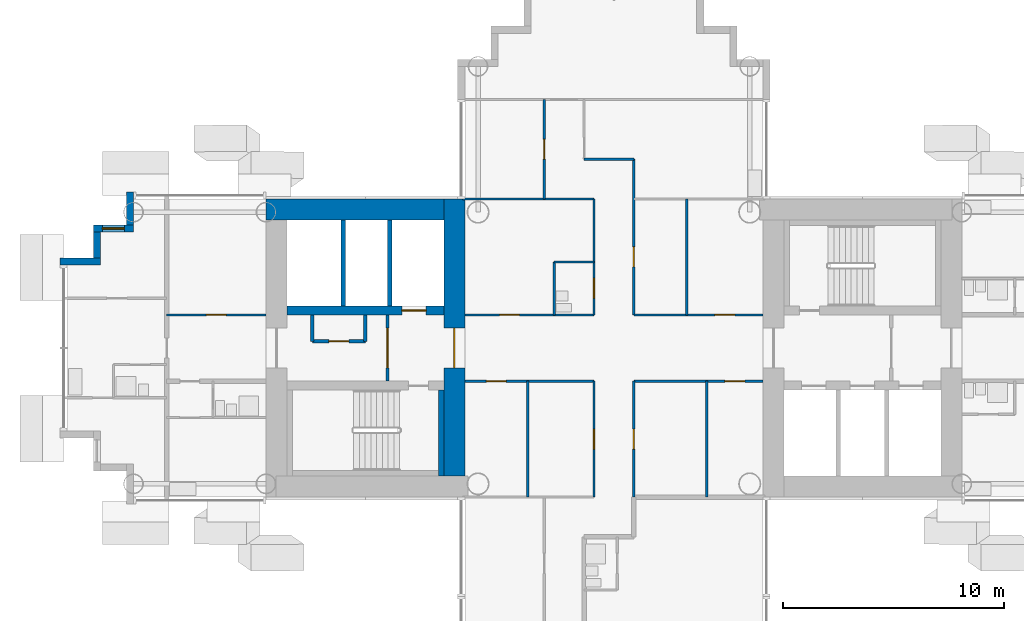
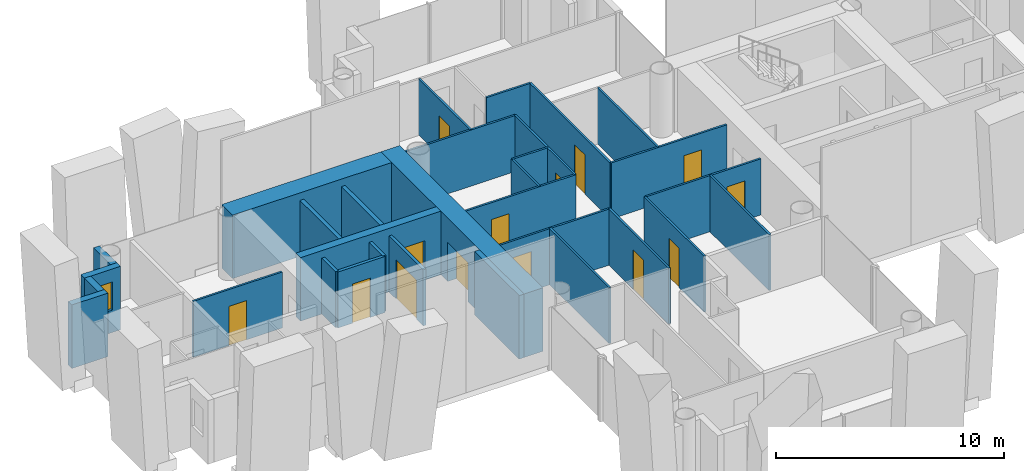
# One storey, part 9 of 21: 31 walls, 14 doors, 1 window, 15 openings.
"""IFC4 building model written with IfcOpenShell, lengths in metres."""

from ifc_helpers import new_model, si_unit, direction, frame, frame_2d, origin, place, context, subcontext, project, spatial, rectangle, extrude, material, layer, layer_set, type_object, element, fill, save


model = new_model("IFC4")

# Units and contexts
model_context = context("Model", 3, precision=1e-05, world=origin(), true_north=direction((0.0, 1.0)))
body_context = subcontext(model_context, "Body", "Model", "MODEL_VIEW")
ifc_project = project(units=[si_unit("LENGTHUNIT", "METRE"), si_unit("AREAUNIT", "SQUARE_METRE"), si_unit("VOLUMEUNIT", "CUBIC_METRE"), si_unit("PLANEANGLEUNIT", "RADIAN"), si_unit("MASSUNIT", "GRAM", prefix="KILO")], contexts=[model_context])

# Site, building, storey
site_placement = place(None, origin())
site = spatial("IfcSite", under=ifc_project, at=site_placement, CompositionType="ELEMENT")
building_placement = place(site_placement, origin())
building = spatial("IfcBuilding", under=site, at=building_placement, Name="Ipe Terrace Towers", CompositionType="ELEMENT")
storey_placement = place(building_placement, frame((0.0, 0.0, 107.199951171875)))
storey = spatial("IfcBuildingStorey", under=building, at=storey_placement, Name="L29", CompositionType="ELEMENT", Elevation=107.199951171875)

# Wall
ifc_material_1 = material(Name="Concrete C40/50 with buff precast cladding", Category="concrete")
ifc_layer_1 = layer(ifc_material_1, 0.320068359375)
ifc_layer_set_1 = layer_set([ifc_layer_1], Name="BUFF CLADDING WALL 320")
wall_type_1 = type_object("IfcWallType", Name="BUFF CLADDING WALL 320", PredefinedType="STANDARD", material=ifc_layer_set_1)
wall_1_placement = place(storey_placement, frame((-57.909912109375, 7.070068359375, -0.300048828125), z_axis=(0.0, 0.0, 1.0), x_axis=(0.0, -1.0, 0.0)))
element("IfcWall", 1, at=wall_1_placement, inside=storey, type_object=wall_type_1, Name="T1-W-L29-47a wall", PredefinedType="STANDARD", context=body_context, shape_type="SweptSolid", body=[
    extrude(rectangle(XDim=1.5, YDim=0.320068359375, at=frame_2d((0.75, 0.0))), origin(), (0.0, 0.0, 1.0), 3.400146484375),
])

# Wall, opening, window
wall_2_placement = place(storey_placement, frame((-57.75, 5.409912109375, -0.300048828125), z_axis=(0.0, 0.0, 1.0), x_axis=(-1.0, 0.0, 0.0)))
wall_2 = element("IfcWall", 2, at=wall_2_placement, inside=storey, type_object=wall_type_1, Name="T1-W-L29-48a wall", PredefinedType="STANDARD", context=body_context, shape_type="SweptSolid", body=[
    extrude(rectangle(XDim=1.820068359375, YDim=0.320068359375, at=frame_2d((0.91015625, 0.0))), origin(), (0.0, 0.0, 1.0), 3.400146484375),
])
opening_1_placement = place(wall_2_placement, frame((0.409912109375, 0.0, 1.199951171875)))
opening_1 = element("IfcOpeningElement", 3, at=opening_1_placement, cuts=wall_2, Name="Opening T1-W-05-L29-02", PredefinedType="OPENING", context=body_context, shape_type="SweptSolid", body=[
    extrude(rectangle(XDim=1.0, YDim=1.5, at=frame_2d((0.5, 0.75))), frame((0.0, 0.169921875, 0.0), z_axis=(0.0, -1.0, 0.0), x_axis=(1.0, 0.0, 0.0)), (0.0, 0.0, 1.0), 0.340087890625),
])
ifc_material_2 = material(Name="Glass, clear laminated", Category="glass")
window_type = type_object("IfcWindowType", Name="DWELLING WINDOW 1000 x 1500", PartitioningType="SINGLE_PANEL", PredefinedType="WINDOW", material=ifc_material_2)
window_placement = place(opening_1_placement, origin())
window = element("IfcWindow", 4, at=window_placement, inside=storey, type_object=window_type, Name="W-05 window", OverallHeight=1.5, OverallWidth=1.0, PartitioningType="SINGLE_PANEL", PredefinedType="WINDOW", context=body_context, shape_type="SweptSolid", body=[
    extrude(rectangle(XDim=1.0, YDim=1.5, at=frame_2d((0.5, 0.75))), frame((0.0, 0.030029296875, 0.0), z_axis=(0.0, -1.0, 0.0), x_axis=(1.0, 0.0, 0.0)), (0.0, 0.0, 1.0), 0.06005859375),
])
fill(opening_1, window)

# Walls
wall_3_placement = place(storey_placement, frame((-59.409912109375, 5.25, -0.300048828125), z_axis=(0.0, 0.0, 1.0), x_axis=(0.0, -1.0, 0.0)))
element("IfcWall", 5, at=wall_3_placement, inside=storey, type_object=wall_type_1, Name="T1-W-L29-49a wall", PredefinedType="STANDARD", context=body_context, shape_type="SweptSolid", body=[
    extrude(rectangle(XDim=1.179931640625, YDim=0.320068359375, at=frame_2d((0.58984375, 0.0))), origin(), (0.0, 0.0, 1.0), 3.400146484375),
])
wall_4_placement = place(storey_placement, frame((-59.25, 3.909912109375, -0.300048828125), z_axis=(0.0, 0.0, 1.0), x_axis=(-1.0, 0.0, 0.0)))
element("IfcWall", 6, at=wall_4_placement, inside=storey, type_object=wall_type_1, Name="T1-W-L29-50a wall", PredefinedType="STANDARD", context=body_context, shape_type="SweptSolid", body=[
    extrude(rectangle(XDim=1.820068359375, YDim=0.320068359375, at=frame_2d((0.91015625, 0.0))), origin(), (0.0, 0.0, 1.0), 3.400146484375),
])
ifc_material_3 = material(Name="Gypsum board partition", Category="plasterboard")
ifc_layer_2 = layer(ifc_material_3, 0.10009765625)
ifc_layer_set_2 = layer_set([ifc_layer_2], Name="Gypsum board partition 100 mm")
wall_type_2 = type_object("IfcWallType", Name="Gypsum board partition 100 mm", PredefinedType="PARTITIONING", material=ifc_layer_set_2)
wall_5_placement = place(storey_placement, frame((-39.89990234375, -6.75, 0.0), z_axis=(0.0, 0.0, 1.0), x_axis=(0.0, 1.0, 0.0)))
element("IfcWall", 7, at=wall_5_placement, inside=storey, type_object=wall_type_2, Name="Gypsum board partition T1 L29 W04", PredefinedType="PARTITIONING", context=body_context, shape_type="SweptSolid", body=[
    extrude(rectangle(XDim=5.25, YDim=0.10009765625, at=frame_2d((2.625, 0.0))), origin(), (0.0, 0.0, 1.0), 3.0),
])

# Wall, opening, door
wall_6_placement = place(storey_placement, frame((-39.14990234375, 6.75, 0.0), z_axis=(0.0, 0.0, 1.0), x_axis=(0.0, 1.0, 0.0)))
wall_6 = element("IfcWall", 8, at=wall_6_placement, inside=storey, type_object=wall_type_2, Name="Gypsum board partition T1 L29 W06", PredefinedType="PARTITIONING", context=body_context, shape_type="SweptSolid", body=[
    extrude(rectangle(XDim=4.5, YDim=0.10009765625, at=frame_2d((2.25, 0.0))), origin(), (0.0, 0.0, 1.0), 3.0),
])
opening_2_placement = place(wall_6_placement, frame((1.800048828125, 0.0, 0.0)))
opening_2 = element("IfcOpeningElement", 9, at=opening_2_placement, cuts=wall_6, Name="Opening T1-Z2F-09", PredefinedType="OPENING", context=body_context, shape_type="SweptSolid", body=[
    extrude(rectangle(XDim=0.89990234375, YDim=2.10009765625, at=frame_2d((0.449951171875, 1.050048828125))), frame((0.0, 0.06005859375, 0.0), z_axis=(0.0, -1.0, 0.0), x_axis=(1.0, 0.0, 0.0)), (0.0, 0.0, 1.0), 0.1201171875),
])
ifc_material_4 = material(Name="Timber door leaf", Category="wood")
door_type_1 = type_object("IfcDoorType", Name="Lounge door 900 x 2100", OperationType="NOTDEFINED", PredefinedType="DOOR", material=ifc_material_4)
door_1_placement = place(opening_2_placement, origin())
door_1 = element("IfcDoor", 10, at=door_1_placement, inside=storey, type_object=door_type_1, Name="Lounge door T1-Z2F-09", OperationType="SINGLE_SWING_LEFT", OverallHeight=2.10009765625, OverallWidth=0.89990234375, PredefinedType="DOOR", context=body_context, shape_type="SweptSolid", body=[
    extrude(rectangle(XDim=0.89990234375, YDim=2.10009765625, at=frame_2d((0.449951171875, 1.050048828125))), frame((0.0, 0.02490234375, 0.0), z_axis=(0.0, -1.0, 0.0), x_axis=(1.0, 0.0, 0.0)), (0.0, 0.0, 1.0), 0.050048828125),
])
fill(opening_2, door_1)

# Wall
wall_7_placement = place(storey_placement, frame((-38.699951171875, 1.5, 0.0), z_axis=(0.0, 0.0, 1.0), x_axis=(0.0, 1.0, 0.0)))
element("IfcWall", 11, at=wall_7_placement, inside=storey, type_object=wall_type_2, Name="Gypsum board partition T1 L29 W07", PredefinedType="PARTITIONING", context=body_context, shape_type="SweptSolid", body=[
    extrude(rectangle(XDim=2.39990234375, YDim=0.10009765625, at=frame_2d((1.199951171875, 0.0))), origin(), (0.0, 0.0, 1.0), 3.0),
])

# Wall, opening, door
wall_8_placement = place(storey_placement, frame((-36.89990234375, -6.75, 0.0), z_axis=(0.0, 0.0, 1.0), x_axis=(0.0, 1.0, 0.0)))
wall_8 = element("IfcWall", 12, at=wall_8_placement, inside=storey, type_object=wall_type_2, Name="Gypsum board partition T1 L29 W10", PredefinedType="PARTITIONING", context=body_context, shape_type="SweptSolid", body=[
    extrude(rectangle(XDim=5.25, YDim=0.10009765625, at=frame_2d((2.625, 0.0))), origin(), (0.0, 0.0, 1.0), 3.0),
])
opening_3_placement = place(wall_8_placement, frame((2.175048828125, 0.0, 0.0)))
opening_3 = element("IfcOpeningElement", 13, at=opening_3_placement, cuts=wall_8, Name="Opening T1-Z2F-05", PredefinedType="OPENING", context=body_context, shape_type="SweptSolid", body=[
    extrude(rectangle(XDim=0.89990234375, YDim=2.10009765625, at=frame_2d((0.449951171875, 1.050048828125))), frame((0.0, 0.06005859375, 0.0), z_axis=(0.0, -1.0, 0.0), x_axis=(1.0, 0.0, 0.0)), (0.0, 0.0, 1.0), 0.1201171875),
])
door_2_placement = place(opening_3_placement, origin())
door_2 = element("IfcDoor", 14, at=door_2_placement, inside=storey, type_object=door_type_1, Name="Lounge door T1-Z2F-05", OperationType="SINGLE_SWING_LEFT", OverallHeight=2.10009765625, OverallWidth=0.89990234375, PredefinedType="DOOR", context=body_context, shape_type="SweptSolid", body=[
    extrude(rectangle(XDim=0.89990234375, YDim=2.10009765625, at=frame_2d((0.449951171875, 1.050048828125))), frame((0.0, 0.02490234375, 0.0), z_axis=(0.0, -1.0, 0.0), x_axis=(1.0, 0.0, 0.0)), (0.0, 0.0, 1.0), 0.050048828125),
])
fill(opening_3, door_2)

wall_9_placement = place(storey_placement, frame((-36.89990234375, 1.5, 0.0), z_axis=(0.0, 0.0, 1.0), x_axis=(0.0, 1.0, 0.0)))
wall_9 = element("IfcWall", 15, at=wall_9_placement, inside=storey, type_object=wall_type_2, Name="Gypsum board partition T1 L29 W11", PredefinedType="PARTITIONING", context=body_context, shape_type="SweptSolid", body=[
    extrude(rectangle(XDim=5.25, YDim=0.10009765625, at=frame_2d((2.625, 0.0))), origin(), (0.0, 0.0, 1.0), 3.0),
])
opening_4_placement = place(wall_9_placement, frame((0.75, 0.0, 0.0)))
opening_4 = element("IfcOpeningElement", 16, at=opening_4_placement, cuts=wall_9, Name="Opening T1-Z2F-01", PredefinedType="OPENING", context=body_context, shape_type="SweptSolid", body=[
    extrude(rectangle(XDim=0.89990234375, YDim=2.10009765625, at=frame_2d((0.449951171875, 1.050048828125))), frame((0.0, 0.06005859375, 0.0), z_axis=(0.0, -1.0, 0.0), x_axis=(1.0, 0.0, 0.0)), (0.0, 0.0, 1.0), 0.1201171875),
])
ifc_material_5 = material(Name="Timber door leaf", Category="wood")
door_type_2 = type_object("IfcDoorType", Name="Bathroom door 900 x 2100", OperationType="NOTDEFINED", PredefinedType="DOOR", material=ifc_material_5)
door_3_placement = place(opening_4_placement, origin())
door_3 = element("IfcDoor", 17, at=door_3_placement, inside=storey, type_object=door_type_2, Name="Bathroom door T1-Z2F-01", OperationType="SINGLE_SWING_RIGHT", OverallHeight=2.10009765625, OverallWidth=0.89990234375, PredefinedType="DOOR", context=body_context, shape_type="SweptSolid", body=[
    extrude(rectangle(XDim=0.89990234375, YDim=2.10009765625, at=frame_2d((0.449951171875, 1.050048828125))), frame((0.0, 0.02490234375, 0.0), z_axis=(0.0, -1.0, 0.0), x_axis=(1.0, 0.0, 0.0)), (0.0, 0.0, 1.0), 0.050048828125),
])
fill(opening_4, door_3)

wall_10_placement = place(storey_placement, frame((-35.10009765625, -6.75, 0.0), z_axis=(0.0, 0.0, 1.0), x_axis=(0.0, 1.0, 0.0)))
wall_10 = element("IfcWall", 18, at=wall_10_placement, inside=storey, type_object=wall_type_2, Name="Gypsum board partition T1 L29 W13", PredefinedType="PARTITIONING", context=body_context, shape_type="SweptSolid", body=[
    extrude(rectangle(XDim=5.25, YDim=0.10009765625, at=frame_2d((2.625, 0.0))), origin(), (0.0, 0.0, 1.0), 3.0),
])
opening_5_placement = place(wall_10_placement, frame((2.175048828125, 0.0, 0.0)))
opening_5 = element("IfcOpeningElement", 19, at=opening_5_placement, cuts=wall_10, Name="Opening T1-Z2F-07", PredefinedType="OPENING", context=body_context, shape_type="SweptSolid", body=[
    extrude(rectangle(XDim=0.89990234375, YDim=2.10009765625, at=frame_2d((0.449951171875, 1.050048828125))), frame((0.0, 0.06005859375, 0.0), z_axis=(0.0, -1.0, 0.0), x_axis=(1.0, 0.0, 0.0)), (0.0, 0.0, 1.0), 0.1201171875),
])
door_4_placement = place(opening_5_placement, origin())
door_4 = element("IfcDoor", 20, at=door_4_placement, inside=storey, type_object=door_type_1, Name="Lounge door T1-Z2F-07", OperationType="SINGLE_SWING_RIGHT", OverallHeight=2.10009765625, OverallWidth=0.89990234375, PredefinedType="DOOR", context=body_context, shape_type="SweptSolid", body=[
    extrude(rectangle(XDim=0.89990234375, YDim=2.10009765625, at=frame_2d((0.449951171875, 1.050048828125))), frame((0.0, 0.02490234375, 0.0), z_axis=(0.0, -1.0, 0.0), x_axis=(1.0, 0.0, 0.0)), (0.0, 0.0, 1.0), 0.050048828125),
])
fill(opening_5, door_4)

wall_11_placement = place(storey_placement, frame((-35.10009765625, 1.5, 0.0), z_axis=(0.0, 0.0, 1.0), x_axis=(0.0, 1.0, 0.0)))
wall_11 = element("IfcWall", 21, at=wall_11_placement, inside=storey, type_object=wall_type_2, Name="Gypsum board partition T1 L29 W14", PredefinedType="PARTITIONING", context=body_context, shape_type="SweptSolid", body=[
    extrude(rectangle(XDim=7.050048828125, YDim=0.10009765625, at=frame_2d((3.52490234375, 0.0))), origin(), (0.0, 0.0, 1.0), 3.0),
])
opening_6_placement = place(wall_11_placement, frame((2.175048828125, 0.0, 0.0)))
opening_6 = element("IfcOpeningElement", 22, at=opening_6_placement, cuts=wall_11, Name="Opening T1-Z2F-02", PredefinedType="OPENING", context=body_context, shape_type="SweptSolid", body=[
    extrude(rectangle(XDim=0.89990234375, YDim=2.10009765625, at=frame_2d((0.449951171875, 1.050048828125))), frame((0.0, 0.06005859375, 0.0), z_axis=(0.0, -1.0, 0.0), x_axis=(1.0, 0.0, 0.0)), (0.0, 0.0, 1.0), 0.1201171875),
])
door_5_placement = place(opening_6_placement, origin())
door_5 = element("IfcDoor", 23, at=door_5_placement, inside=storey, type_object=door_type_1, Name="Lounge door T1-Z2F-02", OperationType="SINGLE_SWING_LEFT", OverallHeight=2.10009765625, OverallWidth=0.89990234375, PredefinedType="DOOR", context=body_context, shape_type="SweptSolid", body=[
    extrude(rectangle(XDim=0.89990234375, YDim=2.10009765625, at=frame_2d((0.449951171875, 1.050048828125))), frame((0.0, 0.02490234375, 0.0), z_axis=(0.0, -1.0, 0.0), x_axis=(1.0, 0.0, 0.0)), (0.0, 0.0, 1.0), 0.050048828125),
])
fill(opening_6, door_5)

# Walls
for number, where, z_axis, x_axis, name in (
    (24, (-32.699951171875, 1.5, 0.0), (0.0, 0.0, 1.0), (0.0, 1.0, 0.0), "Gypsum board partition T1 L29 W16"),
    (25, (-31.800048828125, -6.75, 0.0), (0.0, 0.0, 1.0), (0.0, 1.0, 0.0), "Gypsum board partition T1 L29 W17"),
):
    element("IfcWall", number, at=place(storey_placement, frame(where, z_axis=z_axis, x_axis=x_axis)), inside=storey, type_object=wall_type_2, Name=name, PredefinedType="PARTITIONING", context=body_context, shape_type="SweptSolid", body=[
        extrude(rectangle(XDim=5.25, YDim=0.10009765625, at=frame_2d((2.625, 0.0))), origin(), (0.0, 0.0, 1.0), 3.0),
    ])

# Wall, opening, door
wall_12_placement = place(storey_placement, frame((-42.75, -1.5, 0.0), z_axis=(0.0, 0.0, 1.0), x_axis=(1.0, 0.0, 0.0)))
wall_12 = element("IfcWall", 26, at=wall_12_placement, inside=storey, type_object=wall_type_2, Name="Gypsum board partition T1 L29 W32", PredefinedType="PARTITIONING", context=body_context, shape_type="SweptSolid", body=[
    extrude(rectangle(XDim=5.85009765625, YDim=0.10009765625, at=frame_2d((2.925048828125, 0.0))), origin(), (0.0, 0.0, 1.0), 3.0),
])
opening_7_placement = place(wall_12_placement, frame((0.97509765625, 0.0, 0.0)))
opening_7 = element("IfcOpeningElement", 27, at=opening_7_placement, cuts=wall_12, Name="Opening T1-Z2F-06", PredefinedType="OPENING", context=body_context, shape_type="SweptSolid", body=[
    extrude(rectangle(XDim=0.89990234375, YDim=2.10009765625, at=frame_2d((0.449951171875, 1.050048828125))), frame((0.0, 0.06005859375, 0.0), z_axis=(0.0, -1.0, 0.0), x_axis=(1.0, 0.0, 0.0)), (0.0, 0.0, 1.0), 0.1201171875),
])
door_6_placement = place(opening_7_placement, origin())
door_6 = element("IfcDoor", 28, at=door_6_placement, inside=storey, type_object=door_type_1, Name="Lounge door T1-Z2F-06", OperationType="SINGLE_SWING_LEFT", OverallHeight=2.10009765625, OverallWidth=0.89990234375, PredefinedType="DOOR", context=body_context, shape_type="SweptSolid", body=[
    extrude(rectangle(XDim=0.89990234375, YDim=2.10009765625, at=frame_2d((0.449951171875, 1.050048828125))), frame((0.0, 0.02490234375, 0.0), z_axis=(0.0, -1.0, 0.0), x_axis=(1.0, 0.0, 0.0)), (0.0, 0.0, 1.0), 0.050048828125),
])
fill(opening_7, door_6)

wall_13_placement = place(storey_placement, frame((-35.10009765625, -1.5, 0.0), z_axis=(0.0, 0.0, 1.0), x_axis=(1.0, 0.0, 0.0)))
wall_13 = element("IfcWall", 29, at=wall_13_placement, inside=storey, type_object=wall_type_2, Name="Gypsum board partition T1 L29 W33", PredefinedType="PARTITIONING", context=body_context, shape_type="SweptSolid", body=[
    extrude(rectangle(XDim=5.85009765625, YDim=0.10009765625, at=frame_2d((2.925048828125, 0.0))), origin(), (0.0, 0.0, 1.0), 3.0),
])
opening_8_placement = place(wall_13_placement, frame((4.125, 0.0, 0.0)))
opening_8 = element("IfcOpeningElement", 30, at=opening_8_placement, cuts=wall_13, Name="Opening T1-Z2F-08", PredefinedType="OPENING", context=body_context, shape_type="SweptSolid", body=[
    extrude(rectangle(XDim=0.89990234375, YDim=2.10009765625, at=frame_2d((0.449951171875, 1.050048828125))), frame((0.0, 0.06005859375, 0.0), z_axis=(0.0, -1.0, 0.0), x_axis=(1.0, 0.0, 0.0)), (0.0, 0.0, 1.0), 0.1201171875),
])
door_7_placement = place(opening_8_placement, origin())
door_7 = element("IfcDoor", 31, at=door_7_placement, inside=storey, type_object=door_type_1, Name="Lounge door T1-Z2F-08", OperationType="SINGLE_SWING_RIGHT", OverallHeight=2.10009765625, OverallWidth=0.89990234375, PredefinedType="DOOR", context=body_context, shape_type="SweptSolid", body=[
    extrude(rectangle(XDim=0.89990234375, YDim=2.10009765625, at=frame_2d((0.449951171875, 1.050048828125))), frame((0.0, 0.02490234375, 0.0), z_axis=(0.0, -1.0, 0.0), x_axis=(1.0, 0.0, 0.0)), (0.0, 0.0, 1.0), 0.050048828125),
])
fill(opening_8, door_7)

wall_14_placement = place(storey_placement, frame((-56.25, 1.5, 0.0), z_axis=(0.0, 0.0, 1.0), x_axis=(1.0, 0.0, 0.0)))
wall_14 = element("IfcWall", 32, at=wall_14_placement, inside=storey, type_object=wall_type_2, Name="Gypsum board partition T1 L29 W37", PredefinedType="PARTITIONING", context=body_context, shape_type="SweptSolid", body=[
    extrude(rectangle(XDim=4.5, YDim=0.10009765625, at=frame_2d((2.25, 0.0))), origin(), (0.0, 0.0, 1.0), 3.0),
])
opening_9_placement = place(wall_14_placement, frame((1.800048828125, 0.0, 0.0)))
opening_9 = element("IfcOpeningElement", 33, at=opening_9_placement, cuts=wall_14, Name="Opening T1-Z2F-25", PredefinedType="OPENING", context=body_context, shape_type="SweptSolid", body=[
    extrude(rectangle(XDim=0.89990234375, YDim=2.10009765625, at=frame_2d((0.449951171875, 1.050048828125))), frame((0.0, 0.06005859375, 0.0), z_axis=(0.0, -1.0, 0.0), x_axis=(1.0, 0.0, 0.0)), (0.0, 0.0, 1.0), 0.1201171875),
])
door_8_placement = place(opening_9_placement, origin())
door_8 = element("IfcDoor", 34, at=door_8_placement, inside=storey, type_object=door_type_1, Name="Lounge door T1-Z2F-25", OperationType="SINGLE_SWING_LEFT", OverallHeight=2.10009765625, OverallWidth=0.89990234375, PredefinedType="DOOR", context=body_context, shape_type="SweptSolid", body=[
    extrude(rectangle(XDim=0.89990234375, YDim=2.10009765625, at=frame_2d((0.449951171875, 1.050048828125))), frame((0.0, 0.02490234375, 0.0), z_axis=(0.0, -1.0, 0.0), x_axis=(1.0, 0.0, 0.0)), (0.0, 0.0, 1.0), 0.050048828125),
])
fill(opening_9, door_8)

wall_15_placement = place(storey_placement, frame((-42.75, 1.5, 0.0), z_axis=(0.0, 0.0, 1.0), x_axis=(1.0, 0.0, 0.0)))
wall_15 = element("IfcWall", 35, at=wall_15_placement, inside=storey, type_object=wall_type_2, Name="Gypsum board partition T1 L29 W38", PredefinedType="PARTITIONING", context=body_context, shape_type="SweptSolid", body=[
    extrude(rectangle(XDim=5.85009765625, YDim=0.10009765625, at=frame_2d((2.925048828125, 0.0))), origin(), (0.0, 0.0, 1.0), 3.0),
])
opening_10_placement = place(wall_15_placement, frame((1.574951171875, 0.0, 0.0)))
opening_10 = element("IfcOpeningElement", 36, at=opening_10_placement, cuts=wall_15, Name="Opening T1-Z2F-04", PredefinedType="OPENING", context=body_context, shape_type="SweptSolid", body=[
    extrude(rectangle(XDim=0.89990234375, YDim=2.10009765625, at=frame_2d((0.449951171875, 1.050048828125))), frame((0.0, 0.06005859375, 0.0), z_axis=(0.0, -1.0, 0.0), x_axis=(1.0, 0.0, 0.0)), (0.0, 0.0, 1.0), 0.1201171875),
])
door_9_placement = place(opening_10_placement, origin())
door_9 = element("IfcDoor", 37, at=door_9_placement, inside=storey, type_object=door_type_1, Name="Lounge door T1-Z2F-04", OperationType="SINGLE_SWING_RIGHT", OverallHeight=2.10009765625, OverallWidth=0.89990234375, PredefinedType="DOOR", context=body_context, shape_type="SweptSolid", body=[
    extrude(rectangle(XDim=0.89990234375, YDim=2.10009765625, at=frame_2d((0.449951171875, 1.050048828125))), frame((0.0, 0.02490234375, 0.0), z_axis=(0.0, -1.0, 0.0), x_axis=(1.0, 0.0, 0.0)), (0.0, 0.0, 1.0), 0.050048828125),
])
fill(opening_10, door_9)

wall_16_placement = place(storey_placement, frame((-35.10009765625, 1.5, 0.0), z_axis=(0.0, 0.0, 1.0), x_axis=(1.0, 0.0, 0.0)))
wall_16 = element("IfcWall", 38, at=wall_16_placement, inside=storey, type_object=wall_type_2, Name="Gypsum board partition T1 L29 W39", PredefinedType="PARTITIONING", context=body_context, shape_type="SweptSolid", body=[
    extrude(rectangle(XDim=5.85009765625, YDim=0.10009765625, at=frame_2d((2.925048828125, 0.0))), origin(), (0.0, 0.0, 1.0), 3.0),
])
opening_11_placement = place(wall_16_placement, frame((3.675048828125, 0.0, 0.0)))
opening_11 = element("IfcOpeningElement", 39, at=opening_11_placement, cuts=wall_16, Name="Opening T1-Z2F-03", PredefinedType="OPENING", context=body_context, shape_type="SweptSolid", body=[
    extrude(rectangle(XDim=0.89990234375, YDim=2.10009765625, at=frame_2d((0.449951171875, 1.050048828125))), frame((0.0, 0.06005859375, 0.0), z_axis=(0.0, -1.0, 0.0), x_axis=(1.0, 0.0, 0.0)), (0.0, 0.0, 1.0), 0.1201171875),
])
door_10_placement = place(opening_11_placement, origin())
door_10 = element("IfcDoor", 40, at=door_10_placement, inside=storey, type_object=door_type_1, Name="Lounge door T1-Z2F-03", OperationType="SINGLE_SWING_LEFT", OverallHeight=2.10009765625, OverallWidth=0.89990234375, PredefinedType="DOOR", context=body_context, shape_type="SweptSolid", body=[
    extrude(rectangle(XDim=0.89990234375, YDim=2.10009765625, at=frame_2d((0.449951171875, 1.050048828125))), frame((0.0, 0.02490234375, 0.0), z_axis=(0.0, -1.0, 0.0), x_axis=(1.0, 0.0, 0.0)), (0.0, 0.0, 1.0), 0.050048828125),
])
fill(opening_11, door_10)

# Walls
wall_17_placement = place(storey_placement, frame((-38.699951171875, 3.89990234375, 0.0), z_axis=(0.0, 0.0, 1.0), x_axis=(1.0, 0.0, 0.0)))
element("IfcWall", 41, at=wall_17_placement, inside=storey, type_object=wall_type_2, Name="Gypsum board partition T1 L29 W43", PredefinedType="PARTITIONING", context=body_context, shape_type="SweptSolid", body=[
    extrude(rectangle(XDim=1.800048828125, YDim=0.10009765625, at=frame_2d((0.89990234375, 0.0))), origin(), (0.0, 0.0, 1.0), 3.0),
])
wall_18_placement = place(storey_placement, frame((-42.85009765625, 6.75, 0.0), z_axis=(0.0, 0.0, 1.0), x_axis=(1.0, 0.0, 0.0)))
element("IfcWall", 42, at=wall_18_placement, inside=storey, type_object=wall_type_2, Name="Gypsum board partition T1 L29 W44", PredefinedType="PARTITIONING", context=body_context, shape_type="SweptSolid", body=[
    extrude(rectangle(XDim=5.9501953125, YDim=0.10009765625, at=frame_2d((2.97509765625, 0.0))), origin(), (0.0, 0.0, 1.0), 3.0),
])
wall_19_placement = place(storey_placement, frame((-37.35009765625, 8.550048828125, 0.0), z_axis=(0.0, 0.0, 1.0), x_axis=(1.0, 0.0, 0.0)))
element("IfcWall", 43, at=wall_19_placement, inside=storey, type_object=wall_type_2, Name="Gypsum board partition T1 L29 W46", PredefinedType="PARTITIONING", context=body_context, shape_type="SweptSolid", body=[
    extrude(rectangle(XDim=2.25, YDim=0.10009765625, at=frame_2d((1.125, 0.0))), origin(), (0.0, 0.0, 1.0), 3.0),
])

# Wall, opening, door
ifc_material_6 = material(Name="Gypsum board partition", Category="plasterboard")
ifc_layer_3 = layer(ifc_material_6, 0.14990234375)
ifc_layer_set_3 = layer_set([ifc_layer_3], Name="Gypsum board partition 150 mm")
wall_type_3 = type_object("IfcWallType", Name="Gypsum board partition 150 mm", PredefinedType="PARTITIONING", material=ifc_layer_set_3)
wall_20_placement = place(storey_placement, frame((-46.25, 1.5, 0.0), z_axis=(0.0, 0.0, 1.0), x_axis=(0.0, -1.0, 0.0)))
wall_20 = element("IfcWall", 44, at=wall_20_placement, inside=storey, type_object=wall_type_3, Name="Gypsum board partition T1 L29 t1c2-lobby-wall", PredefinedType="PARTITIONING", context=body_context, shape_type="SweptSolid", body=[
    extrude(rectangle(XDim=3.0, YDim=0.14990234375, at=frame_2d((1.5, 0.0))), origin(), (0.0, 0.0, 1.0), 3.0),
])
opening_12_placement = place(wall_20_placement, frame((0.60009765625, 0.0, 0.0)))
opening_12 = element("IfcOpeningElement", 45, at=opening_12_placement, cuts=wall_20, Name="Opening T1C2-VD", PredefinedType="OPENING", context=body_context, shape_type="SweptSolid", body=[
    extrude(rectangle(XDim=1.800048828125, YDim=2.10009765625, at=frame_2d((0.89990234375, 1.050048828125))), frame((0.0, 0.0849609375, 0.0), z_axis=(0.0, -1.0, 0.0), x_axis=(1.0, 0.0, 0.0)), (0.0, 0.0, 1.0), 0.169921875),
])
ifc_material_7 = material(Name="Fire-rated timber door leaf", Category="wood")
door_type_3 = type_object("IfcDoorType", Name="Lobby door 1800 x 2100 FD60", OperationType="NOTDEFINED", PredefinedType="DOOR", material=ifc_material_7)
door_11_placement = place(opening_12_placement, origin())
door_11 = element("IfcDoor", 46, at=door_11_placement, inside=storey, type_object=door_type_3, Name="Lobby door T1C2-VD", OperationType="SINGLE_SWING_LEFT", OverallHeight=2.10009765625, OverallWidth=1.800048828125, PredefinedType="DOOR", context=body_context, shape_type="SweptSolid", body=[
    extrude(rectangle(XDim=1.800048828125, YDim=2.10009765625, at=frame_2d((0.89990234375, 1.050048828125))), frame((0.0, 0.02490234375, 0.0), z_axis=(0.0, -1.0, 0.0), x_axis=(1.0, 0.0, 0.0)), (0.0, 0.0, 1.0), 0.050048828125),
])
fill(opening_12, door_11)

wall_21_placement = place(storey_placement, frame((-47.25, 0.300048828125, 0.0), z_axis=(0.0, 0.0, 1.0), x_axis=(-1.0, 0.0, 0.0)))
wall_21 = element("IfcWall", 47, at=wall_21_placement, inside=storey, type_object=wall_type_3, Name="Gypsum board partition T1 L29 t1c2-cup-s-f", PredefinedType="PARTITIONING", context=body_context, shape_type="SweptSolid", body=[
    extrude(rectangle(XDim=2.39990234375, YDim=0.14990234375, at=frame_2d((1.199951171875, 0.0))), origin(), (0.0, 0.0, 1.0), 3.0),
])
opening_13_placement = place(wall_21_placement, frame((0.75, 0.0, 0.0)))
opening_13 = element("IfcOpeningElement", 48, at=opening_13_placement, cuts=wall_21, Name="Opening T1C2-SC", PredefinedType="OPENING", context=body_context, shape_type="SweptSolid", body=[
    extrude(rectangle(XDim=0.89990234375, YDim=2.10009765625, at=frame_2d((0.449951171875, 1.050048828125))), frame((0.0, 0.0849609375, 0.0), z_axis=(0.0, -1.0, 0.0), x_axis=(1.0, 0.0, 0.0)), (0.0, 0.0, 1.0), 0.169921875),
])
ifc_material_8 = material(Name="Fire-rated timber door leaf", Category="wood")
door_type_4 = type_object("IfcDoorType", Name="Service door 900 x 2100 FD30S", OperationType="NOTDEFINED", PredefinedType="DOOR", material=ifc_material_8)
door_12_placement = place(opening_13_placement, origin())
door_12 = element("IfcDoor", 49, at=door_12_placement, inside=storey, type_object=door_type_4, Name="Service door T1C2-SC", OperationType="SINGLE_SWING_LEFT", OverallHeight=2.10009765625, OverallWidth=0.89990234375, PredefinedType="DOOR", context=body_context, shape_type="SweptSolid", body=[
    extrude(rectangle(XDim=0.89990234375, YDim=2.10009765625, at=frame_2d((0.449951171875, 1.050048828125))), frame((0.0, 0.02490234375, 0.0), z_axis=(0.0, -1.0, 0.0), x_axis=(1.0, 0.0, 0.0)), (0.0, 0.0, 1.0), 0.050048828125),
])
fill(opening_13, door_12)

# Walls
for number, where, z_axis, x_axis, name in (
    (50, (-47.25, 0.300048828125, 0.0), (0.0, 0.0, 1.0), (0.0, 1.0, 0.0), "Gypsum board partition T1 L29 t1c2-cup-s-a"),
    (51, (-49.64990234375, 0.300048828125, 0.0), (0.0, 0.0, 1.0), (0.0, 1.0, 0.0), "Gypsum board partition T1 L29 t1c2-cup-s-b"),
):
    element("IfcWall", number, at=place(storey_placement, frame(where, z_axis=z_axis, x_axis=x_axis)), inside=storey, type_object=wall_type_3, Name=name, PredefinedType="PARTITIONING", context=body_context, shape_type="SweptSolid", body=[
        extrude(rectangle(XDim=1.199951171875, YDim=0.14990234375, at=frame_2d((0.60009765625, 0.0))), origin(), (0.0, 0.0, 1.0), 3.0),
    ])
ifc_material_9 = material(Name="Gypsum board party wall", Category="plasterboard")
ifc_layer_4 = layer(ifc_material_9, 0.199951171875)
ifc_layer_set_4 = layer_set([ifc_layer_4], Name="Gypsum board party wall 200 mm")
wall_type_4 = type_object("IfcWallType", Name="Gypsum board party wall 200 mm", PredefinedType="SOLIDWALL", material=ifc_layer_set_4)
for number, where, z_axis, x_axis, name in (
    (52, (-46.14990234375, 5.800048828125, 0.0), (0.0, 0.0, 1.0), (0.0, -1.0, 0.0), "Gypsum board party wall T1 L29 t1c2-shaft-div1"),
    (53, (-48.25, 5.800048828125, 0.0), (0.0, 0.0, 1.0), (0.0, -1.0, 0.0), "Gypsum board party wall T1 L29 t1c2-shaft-div2"),
):
    element("IfcWall", number, at=place(storey_placement, frame(where, z_axis=z_axis, x_axis=x_axis)), inside=storey, type_object=wall_type_4, Name=name, PredefinedType="SOLIDWALL", context=body_context, shape_type="SweptSolid", body=[
        extrude(rectangle(XDim=3.900146484375, YDim=0.199951171875, at=frame_2d((1.9501953125, 0.0))), origin(), (0.0, 0.0, 1.0), 3.0),
    ])
ifc_material_10 = material(Name="Concrete C50/60", Category="concrete")
ifc_layer_5 = layer(ifc_material_10, 0.25)
ifc_layer_set_5 = layer_set([ifc_layer_5], Name="RW250 CORE INFILL WALL 250 C50-60")
wall_type_5 = type_object("IfcWallType", Name="RW250 CORE INFILL WALL 250 C50-60", PredefinedType="SHEAR", material=ifc_layer_set_5)
wall_22_placement = place(storey_placement, frame((-43.824951171875, -1.89990234375, 0.0), z_axis=(0.0, 0.0, 1.0), x_axis=(0.0, -1.0, 0.0)))
element("IfcWall", 54, at=wall_22_placement, inside=storey, type_object=wall_type_5, Name="Core infill wall T1-C2-near", PredefinedType="SHEAR", context=body_context, shape_type="SweptSolid", body=[
    extrude(rectangle(XDim=3.900146484375, YDim=0.25, at=frame_2d((1.9501953125, 0.0))), origin(), (0.0, 0.0, 1.0), 3.400146484375),
])

# Wall, opening, door
ifc_material_11 = material(Name="Concrete C50/60", Category="concrete")
ifc_layer_6 = layer(ifc_material_11, 0.39990234375)
ifc_layer_set_6 = layer_set([ifc_layer_6], Name="RW400 CORE SPINE WALL 400 C50-60")
wall_type_6 = type_object("IfcWallType", Name="RW400 CORE SPINE WALL 400 C50-60", PredefinedType="SHEAR", material=ifc_layer_set_6)
wall_23_placement = place(storey_placement, frame((-50.800048828125, 1.699951171875, 0.0), z_axis=(0.0, 0.0, 1.0), x_axis=(1.0, 0.0, 0.0)))
wall_23 = element("IfcWall", 55, at=wall_23_placement, inside=storey, type_object=wall_type_6, Name="Core spine wall T1-C2-Z2-SW2", PredefinedType="SHEAR", context=body_context, shape_type="SweptSolid", body=[
    extrude(rectangle(XDim=7.10009765625, YDim=0.39990234375, at=frame_2d((3.550048828125, 0.0))), origin(), (0.0, 0.0, 1.0), 3.400146484375),
])
opening_14_placement = place(wall_23_placement, frame((5.199951171875, 0.0, 0.0)))
opening_14 = element("IfcOpeningElement", 56, at=opening_14_placement, cuts=wall_23, Name="Opening T1C2-LD1", PredefinedType="OPENING", context=body_context, shape_type="SweptSolid", body=[
    extrude(rectangle(XDim=1.10009765625, YDim=2.10009765625, at=frame_2d((0.550048828125, 1.050048828125))), frame((0.0, 0.2099609375, 0.0), z_axis=(0.0, -1.0, 0.0), x_axis=(1.0, 0.0, 0.0)), (0.0, 0.0, 1.0), 0.419921875),
])
ifc_material_12 = material(Name="Fire-rated timber door leaf", Category="wood")
door_type_5 = type_object("IfcDoorType", Name="Sliding door 1100 x 2100 FD60", OperationType="SLIDING_TO_LEFT", PredefinedType="DOOR", material=ifc_material_12)
door_13_placement = place(opening_14_placement, origin())
door_13 = element("IfcDoor", 57, at=door_13_placement, inside=storey, type_object=door_type_5, Name="Sliding door T1C2-LD1", OperationType="SLIDING_TO_LEFT", OverallHeight=2.10009765625, OverallWidth=1.10009765625, PredefinedType="DOOR", context=body_context, shape_type="SweptSolid", body=[
    extrude(rectangle(XDim=1.10009765625, YDim=2.10009765625, at=frame_2d((0.550048828125, 1.050048828125))), frame((0.0, 0.02490234375, 0.0), z_axis=(0.0, -1.0, 0.0), x_axis=(1.0, 0.0, 0.0)), (0.0, 0.0, 1.0), 0.050048828125),
])
fill(opening_14, door_13)

ifc_material_13 = material(Name="Concrete C50/60", Category="concrete")
ifc_layer_7 = layer(ifc_material_13, 0.949951171875)
ifc_layer_set_7 = layer_set([ifc_layer_7], Name="RW950 CORE WALL 950 C50-60")
wall_type_7 = type_object("IfcWallType", Name="RW950 CORE WALL 950 C50-60", PredefinedType="SHEAR", material=ifc_layer_set_7)
wall_24_placement = place(storey_placement, frame((-43.22509765625, -5.800048828125, 0.0), z_axis=(0.0, 0.0, 1.0), x_axis=(0.0, 1.0, 0.0)))
wall_24 = element("IfcWall", 58, at=wall_24_placement, inside=storey, type_object=wall_type_7, Name="Core wall T1-C2-Z2-W02", PredefinedType="SHEAR", context=body_context, shape_type="SweptSolid", body=[
    extrude(rectangle(XDim=12.550048828125, YDim=0.949951171875, at=frame_2d((6.27490234375, 0.0))), origin(), (0.0, 0.0, 1.0), 3.400146484375),
])
opening_15_placement = place(wall_24_placement, frame((4.89990234375, 0.0, 0.0)))
opening_15 = element("IfcOpeningElement", 59, at=opening_15_placement, cuts=wall_24, Name="Opening T1C2-ND", PredefinedType="OPENING", context=body_context, shape_type="SweptSolid", body=[
    extrude(rectangle(XDim=1.800048828125, YDim=2.10009765625, at=frame_2d((0.89990234375, 1.050048828125))), frame((0.0, 0.48486328125, 0.0), z_axis=(0.0, -1.0, 0.0), x_axis=(1.0, 0.0, 0.0)), (0.0, 0.0, 1.0), 0.969970703125),
])
ifc_material_14 = material(Name="Fire-rated timber door leaf", Category="wood")
door_type_6 = type_object("IfcDoorType", Name="Fire door 1800 x 2100 FD30S", OperationType="NOTDEFINED", PredefinedType="DOOR", material=ifc_material_14)
door_14_placement = place(opening_15_placement, origin())
door_14 = element("IfcDoor", 60, at=door_14_placement, inside=storey, type_object=door_type_6, Name="Fire door T1C2-ND", OperationType="SINGLE_SWING_LEFT", OverallHeight=2.10009765625, OverallWidth=1.800048828125, PredefinedType="DOOR", context=body_context, shape_type="SweptSolid", body=[
    extrude(rectangle(XDim=1.800048828125, YDim=2.10009765625, at=frame_2d((0.89990234375, 1.050048828125))), frame((0.0, 0.02490234375, 0.0), z_axis=(0.0, -1.0, 0.0), x_axis=(1.0, 0.0, 0.0)), (0.0, 0.0, 1.0), 0.050048828125),
])
fill(opening_15, door_14)

# Wall
wall_25_placement = place(storey_placement, frame((-43.699951171875, 6.27490234375, 0.0), z_axis=(0.0, 0.0, 1.0), x_axis=(-1.0, 0.0, 0.0)))
element("IfcWall", 61, at=wall_25_placement, inside=storey, type_object=wall_type_7, Name="Core wall T1-C2-Z2-W03", PredefinedType="SHEAR", context=body_context, shape_type="SweptSolid", body=[
    extrude(rectangle(XDim=8.050048828125, YDim=0.949951171875, at=frame_2d((4.02490234375, 0.0))), origin(), (0.0, 0.0, 1.0), 3.400146484375),
])

save(model, "model.ifc")
